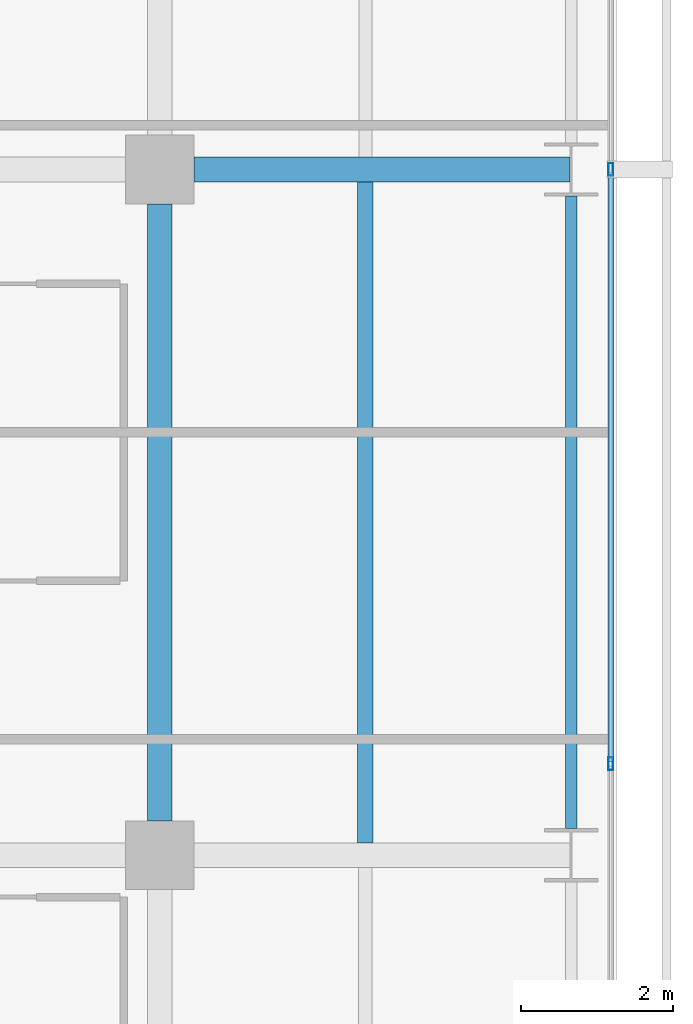
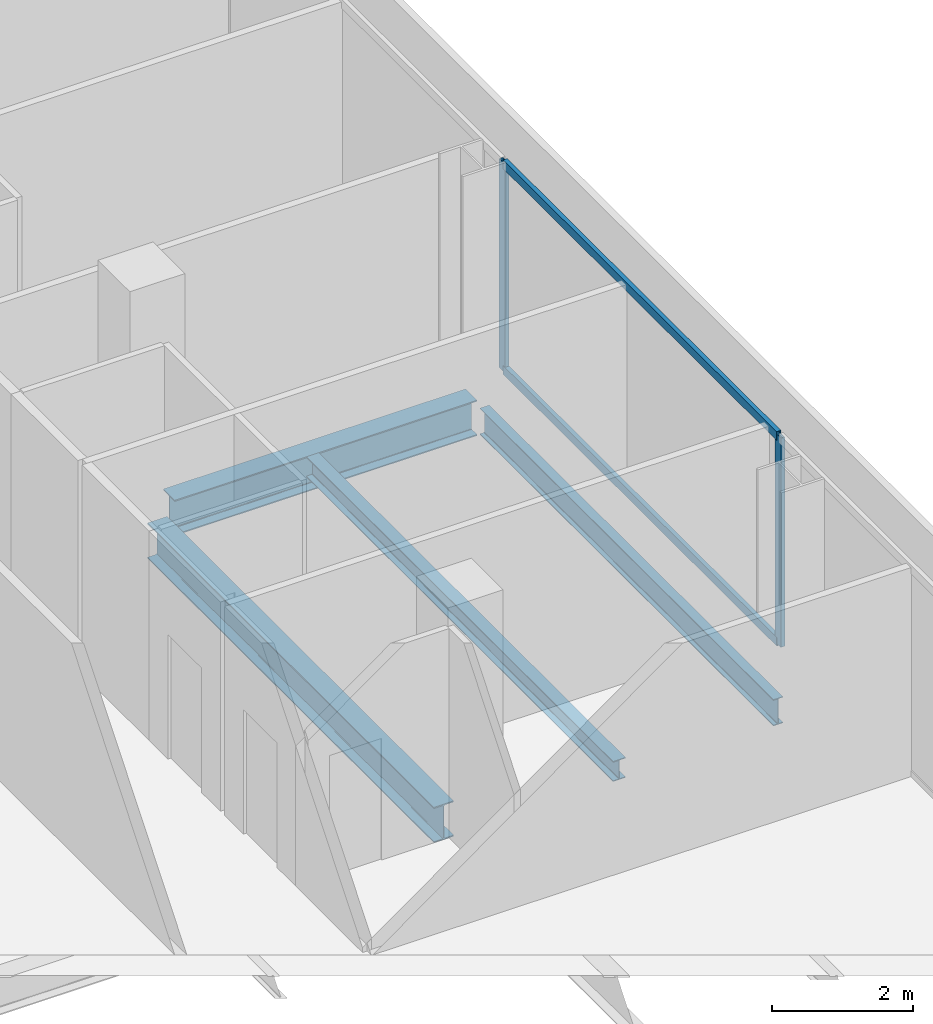
# One storey, part 19 of 40: 4 beams, 4 members, 1 element without a shape of its own.
"""IFC4 building model written with IfcOpenShell, lengths in metres."""

from ifc_helpers import new_model, si_unit, direction, frame, origin, origin_2d, place, context, subcontext, project, spatial, hollow_rectangle, i_section, extrude, material, layer, layer_set, material_profile, profile_set, type_object, element, aggregate, save


model = new_model("IFC4")

# Units and contexts
model_context = context("Model", 3, precision=1e-05, world=origin(), true_north=direction((0.0, 1.0)))
body_context = subcontext(model_context, "Body", "Model", "MODEL_VIEW")
ifc_project = project(units=[si_unit("LENGTHUNIT", "METRE"), si_unit("AREAUNIT", "SQUARE_METRE"), si_unit("VOLUMEUNIT", "CUBIC_METRE"), si_unit("PLANEANGLEUNIT", "RADIAN"), si_unit("MASSUNIT", "GRAM", prefix="KILO")], contexts=[model_context])

# Site, building, storey
site_placement = place(None, origin())
site = spatial("IfcSite", under=ifc_project, at=site_placement, CompositionType="ELEMENT")
building_placement = place(site_placement, origin())
building = spatial("IfcBuilding", under=site, at=building_placement, Name="Maruvema Waterfront Hotel and Observation Tower", CompositionType="ELEMENT")
storey_placement = place(building_placement, frame((0.0, 0.0, 80.85009765625)))
storey = spatial("IfcBuildingStorey", under=building, at=storey_placement, Name="L19", CompositionType="ELEMENT", Elevation=80.85009765625)

# Curtain wall, members
ifc_material_1 = material(Name="Anodised bronze aluminium and solar-control low-E IGU", Category="aluminium")
ifc_layer = layer(ifc_material_1, 0.159912109375, Name="Zone 1 Bronze Inner Thermal Curtain Wall System CW-02")
ifc_layer_set = layer_set([ifc_layer], Name="Anodised bronze aluminium and solar-control low-E IGU")
curtain_wall_type = type_object("IfcCurtainWallType", Name="Zone 1 Bronze Inner Thermal Curtain Wall System CW-02", PredefinedType="USERDEFINED", material=ifc_layer_set)
curtain_wall_placement = place(storey_placement, origin())
curtain_wall = element("IfcCurtainWall", 1, at=curtain_wall_placement, inside=storey, type_object=curtain_wall_type, Name="L19 Curtain Wall CW-L19-E", ObjectType="UNITISED CURTAIN WALL", PredefinedType="USERDEFINED")
ifc_material_2 = material(Name="Anodised architectural bronze aluminium", Category="aluminium")
ifc_material_profile_1 = material_profile(ifc_material_2, hollow_rectangle(XDim=0.070068359375, YDim=0.14990234375, WallThickness=0.00390625, at=origin_2d()), Name="ALU-T70x150")
ifc_profile_set_1 = profile_set([ifc_material_profile_1], Name="Anodised architectural bronze aluminium")
member_type_1 = type_object("IfcMemberType", Name="Curtain Wall Horizontal Transom ALU-T70x150", PredefinedType="USERDEFINED", material=ifc_profile_set_1)
member_1_placement = place(storey_placement, frame((64.719970703125, 19.22998046875, 0.02978515625), z_axis=(0.0, 1.0, 0.0), x_axis=(-1.0, 0.0, 0.0)))
member_1 = element("IfcMember", 2, at=member_1_placement, type_object=member_type_1, Name="CW-02 transom 3.1", ObjectType="TRANSOM", PredefinedType="USERDEFINED", context=body_context, shape_type="SweptSolid", body=[
    extrude(hollow_rectangle(XDim=0.070068359375, YDim=0.14990234375, WallThickness=0.00390625, at=origin_2d()), origin(), (0.0, 0.0, 1.0), 7.739990234375),
])
member_2_placement = place(storey_placement, frame((64.719970703125, 19.22998046875, 3.579833984375), z_axis=(0.0, 1.0, 0.0), x_axis=(-1.0, 0.0, 0.0)))
member_2 = element("IfcMember", 3, at=member_2_placement, type_object=member_type_1, Name="CW-02 transom 3.2", ObjectType="TRANSOM", PredefinedType="USERDEFINED", context=body_context, shape_type="SweptSolid", body=[
    extrude(hollow_rectangle(XDim=0.070068359375, YDim=0.14990234375, WallThickness=0.00390625, at=origin_2d()), origin(), (0.0, 0.0, 1.0), 7.739990234375),
])
ifc_material_3 = material(Name="Anodised architectural bronze aluminium", Category="aluminium")
ifc_material_profile_2 = material_profile(ifc_material_3, hollow_rectangle(XDim=0.06494140625, YDim=0.1650390625, WallThickness=0.00390625, at=origin_2d()), Name="ALU-M65x165")
ifc_profile_set_2 = profile_set([ifc_material_profile_2], Name="Anodised architectural bronze aluminium")
member_type_2 = type_object("IfcMemberType", Name="Curtain Wall Primary Mullion ALU-M65x165", PredefinedType="MULLION", material=ifc_profile_set_2)
member_3_placement = place(storey_placement, frame((64.719970703125, 19.199951171875, 0.0), z_axis=(0.0, 0.0, 1.0), x_axis=(-1.0, 0.0, 0.0)))
member_3 = element("IfcMember", 4, at=member_3_placement, type_object=member_type_2, Name="CW-02 mullion 3", PredefinedType="MULLION", context=body_context, shape_type="SweptSolid", body=[
    extrude(hollow_rectangle(XDim=0.06494140625, YDim=0.1650390625, WallThickness=0.00390625, at=origin_2d()), origin(), (0.0, 0.0, 1.0), 3.60986328125),
])
member_4_placement = place(storey_placement, frame((64.719970703125, 27.0, 0.0), z_axis=(0.0, 0.0, 1.0), x_axis=(-1.0, 0.0, 0.0)))
member_4 = element("IfcMember", 5, at=member_4_placement, type_object=member_type_2, Name="CW-02 mullion 4", PredefinedType="MULLION", context=body_context, shape_type="SweptSolid", body=[
    extrude(hollow_rectangle(XDim=0.06494140625, YDim=0.1650390625, WallThickness=0.00390625, at=origin_2d()), origin(), (0.0, 0.0, 1.0), 3.60986328125),
])
aggregate(curtain_wall, [member_3, member_4, member_1, member_2])

# Beams
ifc_material_4 = material(Name="Steel ASTM A572 Grade 50", Category="steel")
ifc_material_profile_3 = material_profile(ifc_material_4, i_section(OverallWidth=0.153076171875, OverallDepth=0.455078125, WebThickness=0.008056640625, FlangeThickness=0.01318359375, FilletRadius=0.014892578125, at=origin_2d()), Name="W460x60.0")
ifc_profile_set_3 = profile_set([ifc_material_profile_3], Name="Steel ASTM A572 Grade 50")
beam_type_1 = type_object("IfcBeamType", Name="Perimeter Spandrel Beam W460x60.0", PredefinedType="SPANDREL", material=ifc_profile_set_3)
beam_1_placement = place(storey_placement, frame((64.199951171875, 18.35009765625, -0.467529296875), z_axis=(0.0, 1.0, 0.0), x_axis=(-1.0, 0.0, 0.0)))
element("IfcBeam", 6, at=beam_1_placement, inside=storey, type_object=beam_type_1, Name="L19 Floor Girder NS-34", PredefinedType="SPANDREL", context=body_context, shape_type="SweptSolid", body=[
    extrude(i_section(OverallWidth=0.153076171875, OverallDepth=0.455078125, WebThickness=0.008056640625, FlangeThickness=0.01318359375, FilletRadius=0.014892578125, at=origin_2d()), origin(), (0.0, 0.0, 1.0), 8.2998046875),
])
ifc_material_5 = material(Name="Steel ASTM A572 Grade 50", Category="steel")
ifc_material_profile_4 = material_profile(ifc_material_5, i_section(OverallWidth=0.323974609375, OverallDepth=0.611083984375, WebThickness=0.0126953125, FlangeThickness=0.01904296875, FilletRadius=0.01806640625, at=origin_2d()), Name="W610x155.0")
ifc_profile_set_4 = profile_set([ifc_material_profile_4], Name="Steel ASTM A572 Grade 50")
beam_type_2 = type_object("IfcBeamType", Name="Primary Floor Girder W610x155.0", PredefinedType="BEAM", material=ifc_profile_set_4)
beam_2_placement = place(storey_placement, frame((59.25, 27.0, -0.545654296875), z_axis=(1.0, 0.0, 0.0), x_axis=(0.0, 1.0, 0.0)))
element("IfcBeam", 7, at=beam_2_placement, inside=storey, type_object=beam_type_2, Name="L19 Floor Girder EW-24", PredefinedType="BEAM", context=body_context, shape_type="SweptSolid", body=[
    extrude(i_section(OverallWidth=0.323974609375, OverallDepth=0.611083984375, WebThickness=0.0126953125, FlangeThickness=0.01904296875, FilletRadius=0.01806640625, at=origin_2d()), origin(), (0.0, 0.0, 1.0), 4.93603515625),
])
beam_3_placement = place(storey_placement, frame((58.800048828125, 18.449951171875, -0.545654296875), z_axis=(0.0, 1.0, 0.0), x_axis=(-1.0, 0.0, 0.0)))
element("IfcBeam", 8, at=beam_3_placement, inside=storey, type_object=beam_type_2, Name="L19 Floor Girder NS-29", PredefinedType="BEAM", context=body_context, shape_type="SweptSolid", body=[
    extrude(i_section(OverallWidth=0.323974609375, OverallDepth=0.611083984375, WebThickness=0.0126953125, FlangeThickness=0.01904296875, FilletRadius=0.01806640625, at=origin_2d()), origin(), (0.0, 0.0, 1.0), 8.10009765625),
])
ifc_material_6 = material(Name="Steel ASTM A572 Grade 50", Category="steel")
ifc_material_profile_5 = material_profile(ifc_material_6, i_section(OverallWidth=0.202880859375, OverallDepth=0.346923828125, WebThickness=0.0078125, FlangeThickness=0.013427734375, FilletRadius=0.014892578125, at=origin_2d()), Name="W360x64.0")
ifc_profile_set_5 = profile_set([ifc_material_profile_5], Name="Steel ASTM A572 Grade 50")
beam_type_3 = type_object("IfcBeamType", Name="Secondary Floor Joist W360x64.0", PredefinedType="JOIST", material=ifc_profile_set_5)
beam_4_placement = place(storey_placement, frame((61.5, 18.162109375, -0.41357421875), z_axis=(0.0, 1.0, 0.0), x_axis=(-1.0, 0.0, 0.0)))
element("IfcBeam", 9, at=beam_4_placement, inside=storey, type_object=beam_type_3, Name="L19 Secondary Floor Joist JS-22", PredefinedType="JOIST", context=body_context, shape_type="SweptSolid", body=[
    extrude(i_section(OverallWidth=0.202880859375, OverallDepth=0.346923828125, WebThickness=0.0078125, FlangeThickness=0.013427734375, FilletRadius=0.014892578125, at=origin_2d()), origin(), (0.0, 0.0, 1.0), 8.67578125),
])

save(model, "model.ifc")
